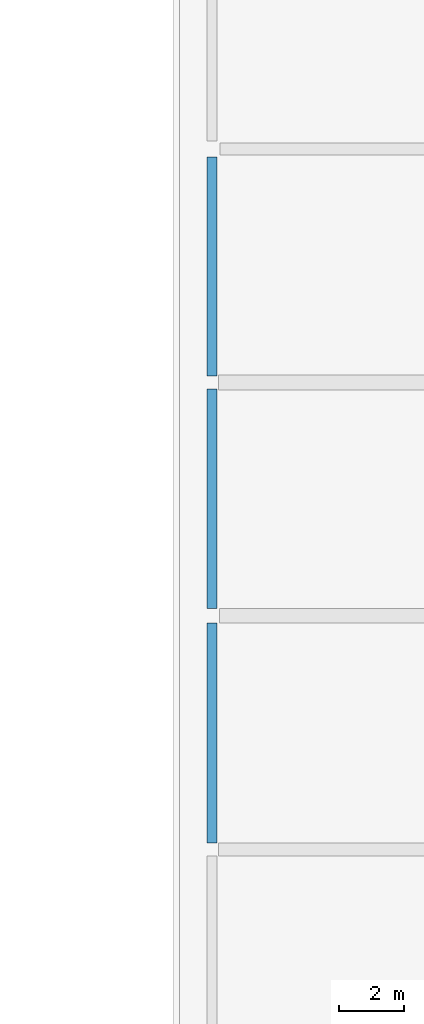
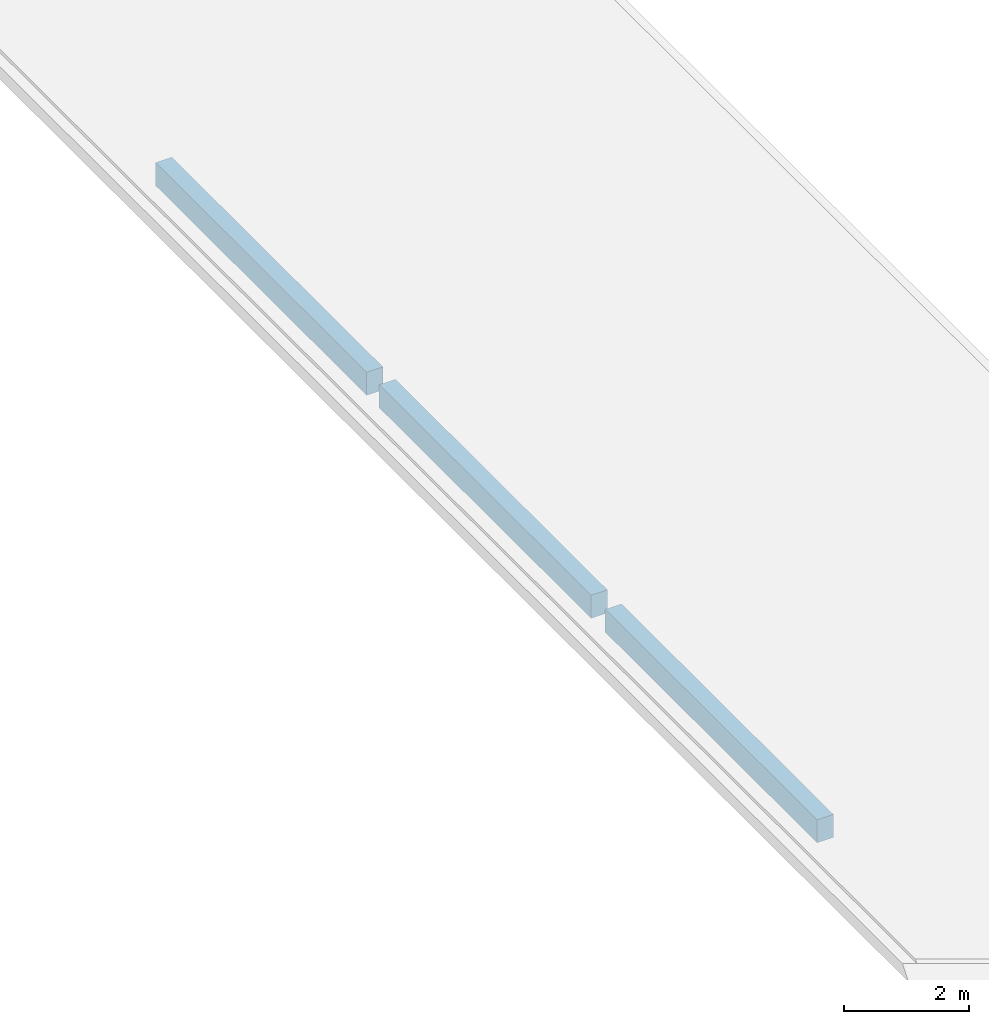
# One storey, part 45 of 134: 3 beams.
"""IFC4 building model written with IfcOpenShell, lengths in metres."""

from ifc_helpers import new_model, si_unit, direction, frame, origin, origin_2d, place, context, subcontext, project, spatial, rectangle, extrude, material, material_profile, profile_set, type_object, element, save


model = new_model("IFC4")

# Units and contexts
model_context = context("Model", 3, precision=1e-05, world=origin(), true_north=direction((0.0, 1.0)))
body_context = subcontext(model_context, "Body", "Model", "MODEL_VIEW")
ifc_project = project(units=[si_unit("LENGTHUNIT", "METRE"), si_unit("AREAUNIT", "SQUARE_METRE"), si_unit("VOLUMEUNIT", "CUBIC_METRE"), si_unit("PLANEANGLEUNIT", "RADIAN"), si_unit("MASSUNIT", "GRAM", prefix="KILO")], contexts=[model_context])

# Site, building, storey
site_placement = place(None, origin())
site = spatial("IfcSite", under=ifc_project, at=site_placement, CompositionType="ELEMENT")
building_placement = place(site_placement, origin())
building = spatial("IfcBuilding", under=site, at=building_placement, Name="Kalluvel Institute of Natural Sciences", CompositionType="ELEMENT")
storey_placement = place(building_placement, frame((0.0, 0.0, 5.39990234375)))
storey = spatial("IfcBuildingStorey", under=building, at=storey_placement, Name="L01", CompositionType="ELEMENT", Elevation=5.39990234375)

# Beams
ifc_material = material(Name="Concrete M40", Category="concrete")
ifc_material_profile = material_profile(ifc_material, rectangle(XDim=0.300048828125, YDim=0.449951171875, at=origin_2d()), Name="RCB 300x450")
ifc_profile_set = profile_set([ifc_material_profile], Name="Concrete M40")
beam_type = type_object("IfcBeamType", Name="SP-RC300x450", PredefinedType="SPANDREL", material=ifc_profile_set)
for number, where, z_axis, x_axis, name in (
    (1, (107.60009765625, 43.0, -0.544921875), (0.0, 1.0, 0.0), (-1.0, 0.0, 0.0), "L01 girder GIR-L01-NS-X1076-Y428"),
    (2, (107.60009765625, 50.22509765625, -0.544921875), (0.0, 1.0, 0.0), (-1.0, 0.0, 0.0), "L01 girder GIR-L01-NS-X1076-Y500"),
):
    element("IfcBeam", number, at=place(storey_placement, frame(where, z_axis=z_axis, x_axis=x_axis)), inside=storey, type_object=beam_type, Name=name, PredefinedType="SPANDREL", context=body_context, shape_type="SweptSolid", body=[
        extrude(rectangle(XDim=0.300048828125, YDim=0.449951171875, at=origin_2d()), origin(), (0.0, 0.0, 1.0), 6.77490234375),
    ])
beam_placement = place(storey_placement, frame((107.60009765625, 57.39990234375, -0.544921875), z_axis=(0.0, 1.0, 0.0), x_axis=(-1.0, 0.0, 0.0)))
element("IfcBeam", 3, at=beam_placement, inside=storey, type_object=beam_type, Name="L01 girder GIR-L01-NS-X1076-Y572", PredefinedType="SPANDREL", context=body_context, shape_type="SweptSolid", body=[
    extrude(rectangle(XDim=0.300048828125, YDim=0.449951171875, at=origin_2d()), origin(), (0.0, 0.0, 1.0), 6.75),
])

save(model, "model.ifc")
